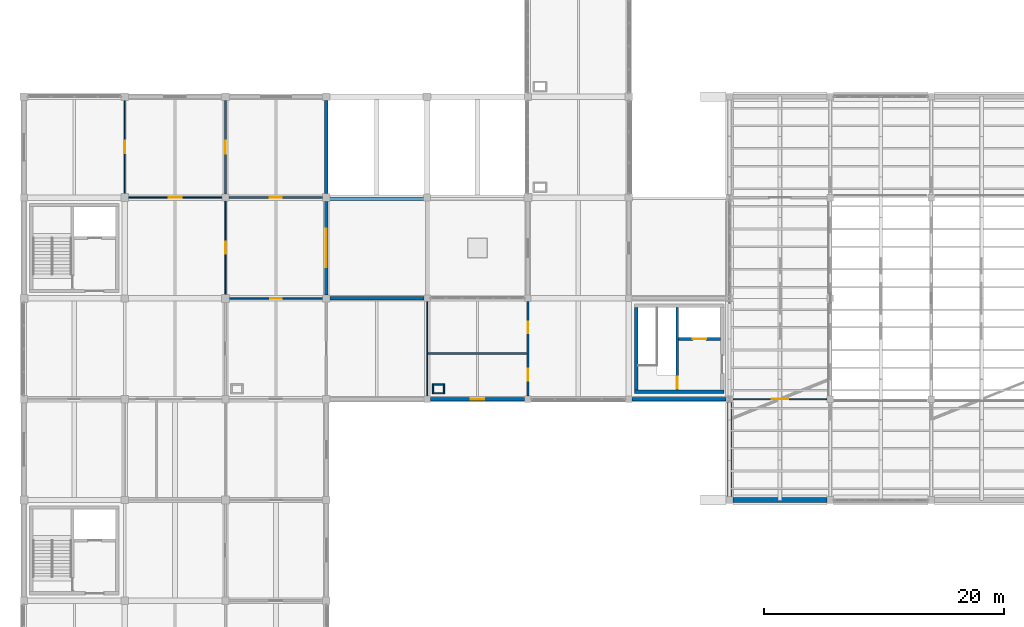
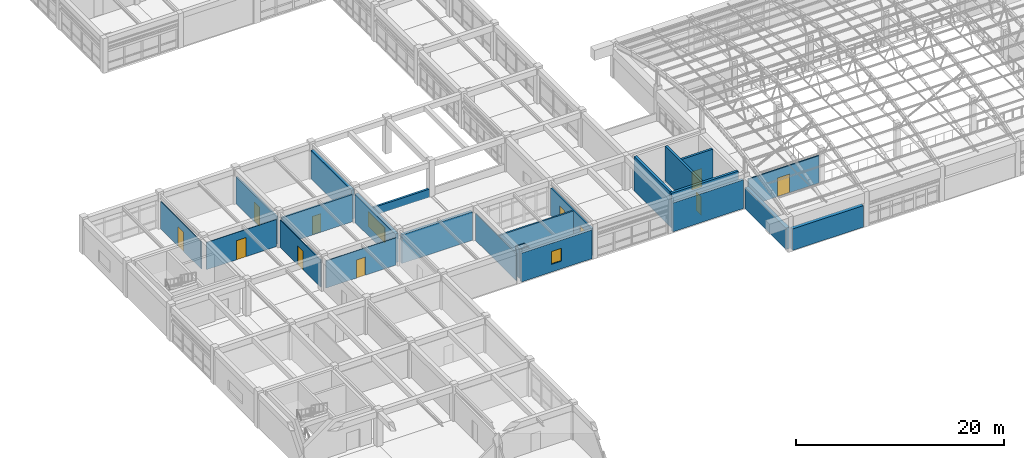
# One storey, part 62 of 74: 26 walls, 11 doors, 2 windows, 13 openings.
"""IFC4 building model written with IfcOpenShell, lengths in metres."""

from ifc_helpers import new_model, si_unit, direction, frame, frame_2d, origin, place, context, subcontext, project, spatial, rectangle, extrude, material, layer, layer_set, type_object, element, fill, save


model = new_model("IFC4")

# Units and contexts
model_context = context("Model", 3, precision=1e-05, world=origin(), true_north=direction((0.0, 1.0)))
body_context = subcontext(model_context, "Body", "Model", "MODEL_VIEW")
ifc_project = project(units=[si_unit("LENGTHUNIT", "METRE"), si_unit("AREAUNIT", "SQUARE_METRE"), si_unit("VOLUMEUNIT", "CUBIC_METRE"), si_unit("PLANEANGLEUNIT", "RADIAN"), si_unit("MASSUNIT", "GRAM", prefix="KILO")], contexts=[model_context])

# Site, building, storey
site_placement = place(None, origin())
site = spatial("IfcSite", under=ifc_project, at=site_placement, CompositionType="ELEMENT")
building_placement = place(site_placement, origin())
building = spatial("IfcBuilding", under=site, at=building_placement, Name="Porcellanite Civic Hall", CompositionType="ELEMENT")
storey_placement = place(building_placement, frame((0.0, 0.0, 14.760009765625)))
storey = spatial("IfcBuildingStorey", under=building, at=storey_placement, Name="L03", CompositionType="ELEMENT", Elevation=14.760009765625)

# Wall, opening, door
ifc_material_1 = material(Name="Concrete N40 (40 MPa)", Category="concrete")
ifc_layer_1 = layer(ifc_material_1, 0.239990234375)
ifc_layer_set_1 = layer_set([ifc_layer_1], Name="Concrete N40 (40 MPa)")
wall_type_1 = type_object("IfcWallType", Name="CW-SH240", PredefinedType="SHEAR", material=ifc_layer_set_1)
wall_1_placement = place(storey_placement, frame((62.840087890625, 51.159912109375, 0.0), z_axis=(0.0, 0.0, 1.0), x_axis=(0.0, 1.0, 0.0)))
wall_1 = element("IfcWall", 1, at=wall_1_placement, inside=storey, type_object=wall_type_1, Name="Core divider C5 L03", PredefinedType="SHEAR", context=body_context, shape_type="SweptSolid", body=[
    extrude(rectangle(XDim=6.880126953125, YDim=0.239990234375, at=frame_2d((3.43994140625, 0.0))), origin(), (0.0, 0.0, 1.0), 4.070068359375),
])
opening_1_placement = place(wall_1_placement, frame((0.1201171875, 0.0, 0.0)))
opening_1 = element("IfcOpeningElement", 2, at=opening_1_placement, cuts=wall_1, Name="Opening FD-C5-L03-ST", PredefinedType="OPENING", context=body_context, shape_type="SweptSolid", body=[
    extrude(rectangle(XDim=1.0, YDim=2.14990234375, at=frame_2d((0.5, 1.074951171875))), frame((0.0, 0.1201171875, 0.0), z_axis=(0.0, -1.0, 0.0), x_axis=(1.0, 0.0, 0.0)), (0.0, 0.0, 1.0), 0.239990234375),
])
ifc_material_2 = material(Name="Fire-rated solid-core hardwood timber", Category="wood")
door_type_1 = type_object("IfcDoorType", Name="DR-FD100", OperationType="NOTDEFINED", PredefinedType="DOOR", material=ifc_material_2)
door_1_placement = place(opening_1_placement, origin())
door_1 = element("IfcDoor", 3, at=door_1_placement, inside=storey, type_object=door_type_1, Name="Fire stair door FD-C5-L03-ST", OperationType="SINGLE_SWING_RIGHT", OverallHeight=2.14990234375, OverallWidth=1.0, PredefinedType="DOOR", context=body_context, shape_type="SweptSolid", body=[
    extrude(rectangle(XDim=1.0, YDim=2.14990234375, at=frame_2d((0.5, 1.074951171875))), frame((0.0, 0.02490234375, 0.0), z_axis=(0.0, -1.0, 0.0), x_axis=(1.0, 0.0, 0.0)), (0.0, 0.0, 1.0), 0.050048828125),
])
fill(opening_1, door_1)

wall_2_placement = place(storey_placement, frame((62.9599609375, 55.419921875, 0.0), z_axis=(0.0, 0.0, 1.0), x_axis=(1.0, 0.0, 0.0)))
wall_2 = element("IfcWall", 4, at=wall_2_placement, inside=storey, type_object=wall_type_1, Name="Lift shaft wall C5 L03", PredefinedType="SHEAR", context=body_context, shape_type="SweptSolid", body=[
    extrude(rectangle(XDim=3.47998046875, YDim=0.239990234375, at=frame_2d((1.739990234375, 0.0))), origin(), (0.0, 0.0, 1.0), 4.070068359375),
])
opening_2_placement = place(wall_2_placement, frame((1.18994140625, 0.0, 0.0)))
opening_2 = element("IfcOpeningElement", 5, at=opening_2_placement, cuts=wall_2, Name="Opening LD-05", PredefinedType="OPENING", context=body_context, shape_type="SweptSolid", body=[
    extrude(rectangle(XDim=1.10009765625, YDim=2.14990234375, at=frame_2d((0.550048828125, 1.074951171875))), frame((0.0, 0.1201171875, 0.0), z_axis=(0.0, -1.0, 0.0), x_axis=(1.0, 0.0, 0.0)), (0.0, 0.0, 1.0), 0.239990234375),
])
ifc_material_3 = material(Name="Brushed stainless steel 316", Category="steel")
door_type_2 = type_object("IfcDoorType", Name="DR-LD110", OperationType="DOUBLE_DOOR_SLIDING", PredefinedType="DOOR", material=ifc_material_3)
door_2_placement = place(opening_2_placement, origin())
door_2 = element("IfcDoor", 6, at=door_2_placement, inside=storey, type_object=door_type_2, Name="Lift landing sliding door LD-05 L03", OperationType="DOUBLE_DOOR_SLIDING", OverallHeight=2.14990234375, OverallWidth=1.10009765625, PredefinedType="DOOR", context=body_context, shape_type="SweptSolid", body=[
    extrude(rectangle(XDim=1.10009765625, YDim=2.14990234375, at=frame_2d((0.550048828125, 1.074951171875))), frame((0.0, 0.02490234375, 0.0), z_axis=(0.0, -1.0, 0.0), x_axis=(1.0, 0.0, 0.0)), (0.0, 0.0, 1.0), 0.050048828125),
])
fill(opening_2, door_2)

# Walls
ifc_material_4 = material(Name="Concrete N40 (40 MPa)", Category="concrete")
ifc_layer_2 = layer(ifc_material_4, 0.280029296875)
ifc_layer_set_2 = layer_set([ifc_layer_2], Name="Concrete N40 (40 MPa)")
wall_type_2 = type_object("IfcWallType", Name="CW-SH280", PredefinedType="SHEAR", material=ifc_layer_set_2)
wall_3_placement = place(storey_placement, frame((66.719970703125, 51.02001953125, 0.0), z_axis=(0.0, 0.0, 1.0), x_axis=(-1.0, 0.0, 0.0)))
element("IfcWall", 7, at=wall_3_placement, inside=storey, type_object=wall_type_2, Name="Core wall C5 L03 S", PredefinedType="SHEAR", context=body_context, shape_type="SweptSolid", body=[
    extrude(rectangle(XDim=7.43994140625, YDim=0.280029296875, at=frame_2d((3.719970703125, 0.0))), origin(), (0.0, 0.0, 1.0), 4.070068359375),
])
wall_4_placement = place(storey_placement, frame((59.419921875, 51.159912109375, 0.0), z_axis=(0.0, 0.0, 1.0), x_axis=(0.0, 1.0, 0.0)))
element("IfcWall", 8, at=wall_4_placement, inside=storey, type_object=wall_type_2, Name="Core wall C5 L03 W", PredefinedType="SHEAR", context=body_context, shape_type="SweptSolid", body=[
    extrude(rectangle(XDim=6.880126953125, YDim=0.280029296875, at=frame_2d((3.43994140625, 0.0))), origin(), (0.0, 0.0, 1.0), 4.070068359375),
])
ifc_material_5 = material(Name="Precast concrete N40 (40 MPa)", Category="concrete")
ifc_layer_3 = layer(ifc_material_5, 0.280029296875)
ifc_layer_set_3 = layer_set([ifc_layer_3], Name="Precast concrete N40 (40 MPa)")
wall_type_3 = type_object("IfcWallType", Name="EW-CLO280", PredefinedType="SOLIDWALL", material=ifc_layer_set_3)
wall_5_placement = place(storey_placement, frame((33.90087890625, 58.800048828125, 0.0), z_axis=(0.0, 0.0, 1.0), x_axis=(1.0, 0.0, 0.0)))
element("IfcWall", 9, at=wall_5_placement, inside=storey, type_object=wall_type_3, Name="Exterior wall L03 N 5-7", PredefinedType="SOLIDWALL", context=body_context, shape_type="SweptSolid", body=[
    extrude(rectangle(XDim=7.8232421875, YDim=0.280029296875, at=frame_2d((3.91162109375, 0.0))), origin(), (0.0, 0.0, 1.0), 3.369873046875),
])

# Wall, opening, window
wall_6_placement = place(storey_placement, frame((50.1240234375, 50.39990234375, 0.0), z_axis=(0.0, 0.0, 1.0), x_axis=(-1.0, 0.0, 0.0)))
wall_6 = element("IfcWall", 10, at=wall_6_placement, inside=storey, type_object=wall_type_3, Name="Exterior wall L03 S 6-7", PredefinedType="SOLIDWALL", context=body_context, shape_type="SweptSolid", body=[
    extrude(rectangle(XDim=7.84814453125, YDim=0.280029296875, at=frame_2d((3.924072265625, 0.0))), origin(), (0.0, 0.0, 1.0), 3.369873046875),
])
opening_3_placement = place(wall_6_placement, frame((3.3740234375, 0.0, 0.89990234375)))
opening_3 = element("IfcOpeningElement", 11, at=opening_3_placement, cuts=wall_6, Name="Opening W24", PredefinedType="OPENING", context=body_context, shape_type="SweptSolid", body=[
    extrude(rectangle(XDim=1.10009765625, YDim=1.5, at=frame_2d((0.550048828125, 0.75))), frame((0.0, 0.14013671875, 0.0), z_axis=(0.0, -1.0, 0.0), x_axis=(1.0, 0.0, 0.0)), (0.0, 0.0, 1.0), 0.280029296875),
])
ifc_material_6 = material(Name="Cyclone laminated low-E glazing in anodised aluminium frame", Category="aluminium")
window_type_1 = type_object("IfcWindowType", Name="WN-24", PartitioningType="SINGLE_PANEL", PredefinedType="WINDOW", material=ifc_material_6)
window_1_placement = place(opening_3_placement, origin())
window_1 = element("IfcWindow", 12, at=window_1_placement, inside=storey, type_object=window_type_1, Name="Window W24 L03 S 6-7", OverallHeight=1.5, OverallWidth=1.10009765625, PartitioningType="SINGLE_PANEL", PredefinedType="WINDOW", context=body_context, shape_type="SweptSolid", body=[
    extrude(rectangle(XDim=1.10009765625, YDim=1.5, at=frame_2d((0.550048828125, 0.75))), frame((0.0, 0.030029296875, 0.0), z_axis=(0.0, -1.0, 0.0), x_axis=(1.0, 0.0, 0.0)), (0.0, 0.0, 1.0), 0.06005859375),
])
fill(opening_3, window_1)

# Wall
wall_7_placement = place(storey_placement, frame((66.924072265625, 50.39990234375, 0.0), z_axis=(0.0, 0.0, 1.0), x_axis=(-1.0, 0.0, 0.0)))
element("IfcWall", 13, at=wall_7_placement, inside=storey, type_object=wall_type_3, Name="Exterior wall L03 S 8-7", PredefinedType="SOLIDWALL", context=body_context, shape_type="SweptSolid", body=[
    extrude(rectangle(XDim=7.84814453125, YDim=0.280029296875, at=frame_2d((3.924072265625, 0.0))), origin(), (0.0, 0.0, 1.0), 3.369873046875),
])

# Wall, opening, window
ifc_material_7 = material(Name="Precast concrete N40 (40 MPa)", Category="concrete")
ifc_layer_4 = layer(ifc_material_7, 0.320068359375)
ifc_layer_set_4 = layer_set([ifc_layer_4], Name="Precast concrete N40 (40 MPa)")
wall_type_4 = type_object("IfcWallType", Name="EW-COM320", PredefinedType="SOLIDWALL", material=ifc_layer_set_4)
wall_8_placement = place(storey_placement, frame((33.60009765625, 66.8740234375, 0.0), z_axis=(0.0, 0.0, 1.0), x_axis=(0.0, -1.0, 0.0)))
wall_8 = element("IfcWall", 14, at=wall_8_placement, inside=storey, type_object=wall_type_4, Name="Exterior wall L03 E 4-8", PredefinedType="SOLIDWALL", context=body_context, shape_type="SweptSolid", body=[
    extrude(rectangle(XDim=7.77294921875, YDim=0.320068359375, at=frame_2d((3.886474609375, 0.0))), origin(), (0.0, 0.0, 1.0), 3.369873046875),
])
opening_4_placement = place(wall_8_placement, frame((2.285888671875, 0.0, 0.89990234375)))
opening_4 = element("IfcOpeningElement", 15, at=opening_4_placement, cuts=wall_8, Name="Opening W17", PredefinedType="OPENING", context=body_context, shape_type="SweptSolid", body=[
    extrude(rectangle(XDim=3.199951171875, YDim=1.75, at=frame_2d((1.60009765625, 0.875))), frame((0.0, 0.16015625, 0.0), z_axis=(0.0, -1.0, 0.0), x_axis=(1.0, 0.0, 0.0)), (0.0, 0.0, 1.0), 0.320068359375),
])
ifc_material_8 = material(Name="Cyclone laminated low-E glazing in anodised aluminium frame", Category="aluminium")
window_type_2 = type_object("IfcWindowType", Name="WN-17", PartitioningType="TRIPLE_PANEL_VERTICAL", PredefinedType="WINDOW", material=ifc_material_8)
window_2_placement = place(opening_4_placement, origin())
window_2 = element("IfcWindow", 16, at=window_2_placement, inside=storey, type_object=window_type_2, Name="Window W17 L03 E 4-8", OverallHeight=1.75, OverallWidth=3.199951171875, PartitioningType="SINGLE_PANEL", PredefinedType="WINDOW", context=body_context, shape_type="SweptSolid", body=[
    extrude(rectangle(XDim=3.199951171875, YDim=1.75, at=frame_2d((1.60009765625, 0.875))), frame((0.0, 0.030029296875, 0.0), z_axis=(0.0, -1.0, 0.0), x_axis=(1.0, 0.0, 0.0)), (0.0, 0.0, 1.0), 0.06005859375),
])
fill(opening_4, window_2)

# Walls
wall_9_placement = place(storey_placement, frame((33.60009765625, 75.299072265625, 0.0), z_axis=(0.0, 0.0, 1.0), x_axis=(0.0, -1.0, 0.0)))
element("IfcWall", 17, at=wall_9_placement, inside=storey, type_object=wall_type_4, Name="Exterior wall L03 E 4-9", PredefinedType="SOLIDWALL", context=body_context, shape_type="SweptSolid", body=[
    extrude(rectangle(XDim=7.773193359375, YDim=0.320068359375, at=frame_2d((3.88671875, 0.0))), origin(), (0.0, 0.0, 1.0), 3.369873046875),
])
ifc_material_9 = material(Name="Precast concrete N40 (40 MPa)", Category="concrete")
ifc_layer_5 = layer(ifc_material_9, 0.3798828125)
ifc_layer_set_5 = layer_set([ifc_layer_5], Name="Precast concrete N40 (40 MPa)")
wall_type_5 = type_object("IfcWallType", Name="EW-DRUM380", PredefinedType="SOLIDWALL", material=ifc_layer_set_5)
wall_10_placement = place(storey_placement, frame((75.323974609375, 42.0, 0.0), z_axis=(0.0, 0.0, 1.0), x_axis=(-1.0, 0.0, 0.0)))
element("IfcWall", 18, at=wall_10_placement, inside=storey, type_object=wall_type_5, Name="Exterior wall L03 S 9-6", PredefinedType="SOLIDWALL", context=body_context, shape_type="SweptSolid", body=[
    extrude(rectangle(XDim=7.847900390625, YDim=0.3798828125, at=frame_2d((3.923828125, 0.0))), origin(), (0.0, 0.0, 1.0), 2.52001953125),
])
wall_11_placement = place(storey_placement, frame((67.199951171875, 42.27587890625, 0.0), z_axis=(0.0, 0.0, 1.0), x_axis=(0.0, 1.0, 0.0)))
element("IfcWall", 19, at=wall_11_placement, inside=storey, type_object=wall_type_5, Name="Exterior wall L03 W 9-6", PredefinedType="SOLIDWALL", context=body_context, shape_type="SweptSolid", body=[
    extrude(rectangle(XDim=7.84814453125, YDim=0.3798828125, at=frame_2d((3.924072265625, 0.0))), origin(), (0.0, 0.0, 1.0), 2.52001953125),
])
ifc_material_10 = material(Name="Fire-rated shaftwall plasterboard on steel studs", Category="steel")
ifc_layer_6 = layer(ifc_material_10, 0.117919921875)
ifc_layer_set_6 = layer_set([ifc_layer_6], Name="Fire-rated shaftwall plasterboard on steel studs")
wall_type_6 = type_object("IfcWallType", Name="IW-FR118", PredefinedType="PARTITIONING", material=ifc_layer_set_6)
for number, where, z_axis, x_axis, name in (
    (20, (42.431884765625, 50.89111328125, 0.0), (0.0, 0.0, 1.0), (1.0, 0.0, 0.0), "Fire riser shaftwall S L03 5-6"),
    (21, (42.431884765625, 51.60888671875, 0.0), (0.0, 0.0, 1.0), (1.0, 0.0, 0.0), "Fire riser shaftwall N L03 5-6"),
):
    element("IfcWall", number, at=place(storey_placement, frame(where, z_axis=z_axis, x_axis=x_axis)), inside=storey, type_object=wall_type_6, Name=name, PredefinedType="PARTITIONING", context=body_context, shape_type="SweptSolid", body=[
        extrude(rectangle(XDim=1.0361328125, YDim=0.117919921875, at=frame_2d((0.51806640625, 0.0))), origin(), (0.0, 0.0, 1.0), 3.35009765625),
    ])
for number, where, z_axis, x_axis, name in (
    (22, (42.490966796875, 50.949951171875, 0.0), (0.0, 0.0, 1.0), (0.0, 1.0, 0.0), "Fire riser shaftwall W L03 5-6"),
    (23, (43.408935546875, 50.949951171875, 0.0), (0.0, 0.0, 1.0), (0.0, 1.0, 0.0), "Fire riser shaftwall E L03 5-6"),
):
    element("IfcWall", number, at=place(storey_placement, frame(where, z_axis=z_axis, x_axis=x_axis)), inside=storey, type_object=wall_type_6, Name=name, PredefinedType="PARTITIONING", context=body_context, shape_type="SweptSolid", body=[
        extrude(rectangle(XDim=0.60009765625, YDim=0.117919921875, at=frame_2d((0.300048828125, 0.0))), origin(), (0.0, 0.0, 1.0), 3.35009765625),
    ])

# Wall, opening, door
ifc_material_11 = material(Name="Insulated acoustic plasterboard on light-gauge steel studs", Category="steel")
ifc_layer_7 = layer(ifc_material_11, 0.087890625)
ifc_layer_set_7 = layer_set([ifc_layer_7], Name="Insulated acoustic plasterboard on light-gauge steel studs")
wall_type_7 = type_object("IfcWallType", Name="IW-PT088", PredefinedType="PARTITIONING", material=ifc_layer_set_7)
wall_12_placement = place(storey_placement, frame((16.800048828125, 67.527099609375, 0.0), z_axis=(0.0, 0.0, 1.0), x_axis=(0.0, 1.0, 0.0)))
wall_12 = element("IfcWall", 24, at=wall_12_placement, inside=storey, type_object=wall_type_7, Name="Partition L03 V 2-9", PredefinedType="PARTITIONING", context=body_context, shape_type="SweptSolid", body=[
    extrude(rectangle(XDim=7.77099609375, YDim=0.087890625, at=frame_2d((3.885498046875, 0.0))), origin(), (0.0, 0.0, 1.0), 3.18994140625),
])
opening_5_placement = place(wall_12_placement, frame((3.35595703125, 0.0, 0.0)))
opening_5 = element("IfcOpeningElement", 25, at=opening_5_placement, cuts=wall_12, Name="Opening D-L03-443", PredefinedType="OPENING", context=body_context, shape_type="SweptSolid", body=[
    extrude(rectangle(XDim=1.06005859375, YDim=2.25, at=frame_2d((0.530029296875, 1.125))), frame((0.0, 0.0439453125, 0.0), z_axis=(0.0, -1.0, 0.0), x_axis=(1.0, 0.0, 0.0)), (0.0, 0.0, 1.0), 0.087890625),
])
ifc_material_12 = material(Name="Solid-core spotted-gum timber", Category="wood")
door_type_3 = type_object("IfcDoorType", Name="DR-RM106", OperationType="NOTDEFINED", PredefinedType="DOOR", material=ifc_material_12)
door_3_placement = place(opening_5_placement, origin())
door_3 = element("IfcDoor", 26, at=door_3_placement, inside=storey, type_object=door_type_3, Name="Interior door D-L03-443", OperationType="SINGLE_SWING_LEFT", OverallHeight=2.25, OverallWidth=1.06005859375, PredefinedType="DOOR", context=body_context, shape_type="SweptSolid", body=[
    extrude(rectangle(XDim=1.06005859375, YDim=2.25, at=frame_2d((0.530029296875, 1.125))), frame((0.0, 0.02490234375, 0.0), z_axis=(0.0, -1.0, 0.0), x_axis=(1.0, 0.0, 0.0)), (0.0, 0.0, 1.0), 0.050048828125),
])
fill(opening_5, door_3)

# Wall
ifc_material_13 = material(Name="Insulated acoustic plasterboard on light-gauge steel studs", Category="steel")
ifc_layer_8 = layer(ifc_material_13, 0.094970703125)
ifc_layer_set_8 = layer_set([ifc_layer_8], Name="Insulated acoustic plasterboard on light-gauge steel studs")
wall_type_8 = type_object("IfcWallType", Name="IW-PT095", PredefinedType="PARTITIONING", material=ifc_layer_set_8)
wall_13_placement = place(storey_placement, frame((42.0, 50.677001953125, 0.0), z_axis=(0.0, 0.0, 1.0), x_axis=(0.0, 1.0, 0.0)))
element("IfcWall", 27, at=wall_13_placement, inside=storey, type_object=wall_type_8, Name="Partition L03 V 5-7", PredefinedType="PARTITIONING", context=body_context, shape_type="SweptSolid", body=[
    extrude(rectangle(XDim=7.845947265625, YDim=0.094970703125, at=frame_2d((3.9228515625, 0.0))), origin(), (0.0, 0.0, 1.0), 3.18994140625),
])

# Wall, opening, door
ifc_material_14 = material(Name="Insulated acoustic plasterboard on light-gauge steel studs", Category="steel")
ifc_layer_9 = layer(ifc_material_14, 0.10498046875)
ifc_layer_set_9 = layer_set([ifc_layer_9], Name="Insulated acoustic plasterboard on light-gauge steel studs")
wall_type_9 = type_object("IfcWallType", Name="IW-PT105", PredefinedType="PARTITIONING", material=ifc_layer_set_9)
wall_14_placement = place(storey_placement, frame((17.126953125, 67.199951171875, 0.0), z_axis=(0.0, 0.0, 1.0), x_axis=(1.0, 0.0, 0.0)))
wall_14 = element("IfcWall", 28, at=wall_14_placement, inside=storey, type_object=wall_type_9, Name="Partition L03 H 3-8", PredefinedType="PARTITIONING", context=body_context, shape_type="SweptSolid", body=[
    extrude(rectangle(XDim=7.77099609375, YDim=0.10498046875, at=frame_2d((3.885498046875, 0.0))), origin(), (0.0, 0.0, 1.0), 3.18994140625),
])
opening_6_placement = place(wall_14_placement, frame((3.35595703125, 0.0, 0.0)))
opening_6 = element("IfcOpeningElement", 29, at=opening_6_placement, cuts=wall_14, Name="Opening D-L03-417", PredefinedType="OPENING", context=body_context, shape_type="SweptSolid", body=[
    extrude(rectangle(XDim=1.06005859375, YDim=2.25, at=frame_2d((0.530029296875, 1.125))), frame((0.0, 0.052490234375, 0.0), z_axis=(0.0, -1.0, 0.0), x_axis=(1.0, 0.0, 0.0)), (0.0, 0.0, 1.0), 0.10498046875),
])
door_4_placement = place(opening_6_placement, origin())
door_4 = element("IfcDoor", 30, at=door_4_placement, inside=storey, type_object=door_type_3, Name="Interior door D-L03-417", OperationType="SINGLE_SWING_LEFT", OverallHeight=2.25, OverallWidth=1.06005859375, PredefinedType="DOOR", context=body_context, shape_type="SweptSolid", body=[
    extrude(rectangle(XDim=1.06005859375, YDim=2.25, at=frame_2d((0.530029296875, 1.125))), frame((0.0, 0.02490234375, 0.0), z_axis=(0.0, -1.0, 0.0), x_axis=(1.0, 0.0, 0.0)), (0.0, 0.0, 1.0), 0.050048828125),
])
fill(opening_6, door_4)

wall_15_placement = place(storey_placement, frame((25.199951171875, 59.126953125, 0.0), z_axis=(0.0, 0.0, 1.0), x_axis=(0.0, 1.0, 0.0)))
wall_15 = element("IfcWall", 31, at=wall_15_placement, inside=storey, type_object=wall_type_9, Name="Partition L03 V 3-8", PredefinedType="PARTITIONING", context=body_context, shape_type="SweptSolid", body=[
    extrude(rectangle(XDim=7.77099609375, YDim=0.10498046875, at=frame_2d((3.885498046875, 0.0))), origin(), (0.0, 0.0, 1.0), 3.18994140625),
])
opening_7_placement = place(wall_15_placement, frame((3.39599609375, 0.0, 0.0)))
opening_7 = element("IfcOpeningElement", 32, at=opening_7_placement, cuts=wall_15, Name="Opening D-L03-434", PredefinedType="OPENING", context=body_context, shape_type="SweptSolid", body=[
    extrude(rectangle(XDim=0.97998046875, YDim=2.179931640625, at=frame_2d((0.489990234375, 1.08984375))), frame((0.0, 0.052490234375, 0.0), z_axis=(0.0, -1.0, 0.0), x_axis=(1.0, 0.0, 0.0)), (0.0, 0.0, 1.0), 0.10498046875),
])
ifc_material_15 = material(Name="Solid-core spotted-gum timber", Category="wood")
door_type_4 = type_object("IfcDoorType", Name="DR-RM098", OperationType="NOTDEFINED", PredefinedType="DOOR", material=ifc_material_15)
door_5_placement = place(opening_7_placement, origin())
door_5 = element("IfcDoor", 33, at=door_5_placement, inside=storey, type_object=door_type_4, Name="Interior door D-L03-434", OperationType="SINGLE_SWING_RIGHT", OverallHeight=2.179931640625, OverallWidth=0.97998046875, PredefinedType="DOOR", context=body_context, shape_type="SweptSolid", body=[
    extrude(rectangle(XDim=0.97998046875, YDim=2.179931640625, at=frame_2d((0.489990234375, 1.08984375))), frame((0.0, 0.02490234375, 0.0), z_axis=(0.0, -1.0, 0.0), x_axis=(1.0, 0.0, 0.0)), (0.0, 0.0, 1.0), 0.050048828125),
])
fill(opening_7, door_5)

ifc_material_16 = material(Name="Insulated acoustic plasterboard on light-gauge steel studs", Category="steel")
ifc_layer_10 = layer(ifc_material_16, 0.125)
ifc_layer_set_10 = layer_set([ifc_layer_10], Name="Insulated acoustic plasterboard on light-gauge steel studs")
wall_type_10 = type_object("IfcWallType", Name="IW-PT125", PredefinedType="PARTITIONING", material=ifc_layer_set_10)
wall_16_placement = place(storey_placement, frame((25.527099609375, 58.800048828125, 0.0), z_axis=(0.0, 0.0, 1.0), x_axis=(1.0, 0.0, 0.0)))
wall_16 = element("IfcWall", 34, at=wall_16_placement, inside=storey, type_object=wall_type_10, Name="Partition L03 H 4-7", PredefinedType="PARTITIONING", context=body_context, shape_type="SweptSolid", body=[
    extrude(rectangle(XDim=7.77099609375, YDim=0.125, at=frame_2d((3.885498046875, 0.0))), origin(), (0.0, 0.0, 1.0), 3.18994140625),
])
opening_8_placement = place(wall_16_placement, frame((3.40087890625, 0.0, 0.0)))
opening_8 = element("IfcOpeningElement", 35, at=opening_8_placement, cuts=wall_16, Name="Opening D-L03-453", PredefinedType="OPENING", context=body_context, shape_type="SweptSolid", body=[
    extrude(rectangle(XDim=0.969970703125, YDim=2.1201171875, at=frame_2d((0.48486328125, 1.06005859375))), frame((0.0, 0.0625, 0.0), z_axis=(0.0, -1.0, 0.0), x_axis=(1.0, 0.0, 0.0)), (0.0, 0.0, 1.0), 0.125),
])
ifc_material_17 = material(Name="Solid-core spotted-gum timber", Category="wood")
door_type_5 = type_object("IfcDoorType", Name="DR-RM097", OperationType="NOTDEFINED", PredefinedType="DOOR", material=ifc_material_17)
door_6_placement = place(opening_8_placement, origin())
door_6 = element("IfcDoor", 36, at=door_6_placement, inside=storey, type_object=door_type_5, Name="Interior door D-L03-453", OperationType="SINGLE_SWING_LEFT", OverallHeight=2.1201171875, OverallWidth=0.969970703125, PredefinedType="DOOR", context=body_context, shape_type="SweptSolid", body=[
    extrude(rectangle(XDim=0.969970703125, YDim=2.1201171875, at=frame_2d((0.48486328125, 1.06005859375))), frame((0.0, 0.02490234375, 0.0), z_axis=(0.0, -1.0, 0.0), x_axis=(1.0, 0.0, 0.0)), (0.0, 0.0, 1.0), 0.050048828125),
])
fill(opening_8, door_6)

ifc_material_18 = material(Name="Insulated acoustic plasterboard on light-gauge steel studs", Category="steel")
ifc_layer_11 = layer(ifc_material_18, 0.14501953125)
ifc_layer_set_11 = layer_set([ifc_layer_11], Name="Insulated acoustic plasterboard on light-gauge steel studs")
wall_type_11 = type_object("IfcWallType", Name="IW-PT145", PredefinedType="PARTITIONING", material=ifc_layer_set_11)
wall_17_placement = place(storey_placement, frame((67.47705078125, 50.39990234375, 0.0), z_axis=(0.0, 0.0, 1.0), x_axis=(1.0, 0.0, 0.0)))
wall_17 = element("IfcWall", 37, at=wall_17_placement, inside=storey, type_object=wall_type_11, Name="Partition L03 H 9-6", PredefinedType="PARTITIONING", context=body_context, shape_type="SweptSolid", body=[
    extrude(rectangle(XDim=7.845947265625, YDim=0.14501953125, at=frame_2d((3.9228515625, 0.0))), origin(), (0.0, 0.0, 1.0), 3.18994140625),
])
opening_9_placement = place(wall_17_placement, frame((3.248046875, 0.0, 0.0)))
opening_9 = element("IfcOpeningElement", 38, at=opening_9_placement, cuts=wall_17, Name="Opening D-L03-419", PredefinedType="OPENING", context=body_context, shape_type="SweptSolid", body=[
    extrude(rectangle(XDim=1.35009765625, YDim=2.199951171875, at=frame_2d((0.675048828125, 1.10009765625))), frame((0.0, 0.072509765625, 0.0), z_axis=(0.0, -1.0, 0.0), x_axis=(1.0, 0.0, 0.0)), (0.0, 0.0, 1.0), 0.14501953125),
])
ifc_material_19 = material(Name="Acoustic spotted-gum timber and safety glass", Category="wood")
door_type_6 = type_object("IfcDoorType", Name="DR-AS135", OperationType="DOUBLE_DOOR_SINGLE_SWING", PredefinedType="DOOR", material=ifc_material_19)
door_7_placement = place(opening_9_placement, origin())
door_7 = element("IfcDoor", 39, at=door_7_placement, inside=storey, type_object=door_type_6, Name="Interior door D-L03-419", OperationType="DOUBLE_DOOR_SINGLE_SWING", OverallHeight=2.199951171875, OverallWidth=1.35009765625, PredefinedType="DOOR", context=body_context, shape_type="SweptSolid", body=[
    extrude(rectangle(XDim=1.35009765625, YDim=2.199951171875, at=frame_2d((0.675048828125, 1.10009765625))), frame((0.0, 0.02490234375, 0.0), z_axis=(0.0, -1.0, 0.0), x_axis=(1.0, 0.0, 0.0)), (0.0, 0.0, 1.0), 0.050048828125),
])
fill(opening_9, door_7)

ifc_material_20 = material(Name="Insulated acoustic plasterboard on light-gauge steel studs", Category="steel")
ifc_layer_12 = layer(ifc_material_20, 0.175048828125)
ifc_layer_set_12 = layer_set([ifc_layer_12], Name="Insulated acoustic plasterboard on light-gauge steel studs")
wall_type_12 = type_object("IfcWallType", Name="IW-PT175", PredefinedType="PARTITIONING", material=ifc_layer_set_12)
wall_18_placement = place(storey_placement, frame((25.199951171875, 67.501953125, 0.0), z_axis=(0.0, 0.0, 1.0), x_axis=(0.0, 1.0, 0.0)))
wall_18 = element("IfcWall", 40, at=wall_18_placement, inside=storey, type_object=wall_type_12, Name="Partition L03 V 3-9", PredefinedType="PARTITIONING", context=body_context, shape_type="SweptSolid", body=[
    extrude(rectangle(XDim=7.77099609375, YDim=0.175048828125, at=frame_2d((3.885498046875, 0.0))), origin(), (0.0, 0.0, 1.0), 3.18994140625),
])
opening_10_placement = place(wall_18_placement, frame((3.35595703125, 0.0, 0.0)))
opening_10 = element("IfcOpeningElement", 41, at=opening_10_placement, cuts=wall_18, Name="Opening D-L03-456", PredefinedType="OPENING", context=body_context, shape_type="SweptSolid", body=[
    extrude(rectangle(XDim=1.06005859375, YDim=2.25, at=frame_2d((0.530029296875, 1.125))), frame((0.0, 0.08740234375, 0.0), z_axis=(0.0, -1.0, 0.0), x_axis=(1.0, 0.0, 0.0)), (0.0, 0.0, 1.0), 0.175048828125),
])
door_8_placement = place(opening_10_placement, origin())
door_8 = element("IfcDoor", 42, at=door_8_placement, inside=storey, type_object=door_type_3, Name="Interior door D-L03-456", OperationType="SINGLE_SWING_RIGHT", OverallHeight=2.25, OverallWidth=1.06005859375, PredefinedType="DOOR", context=body_context, shape_type="SweptSolid", body=[
    extrude(rectangle(XDim=1.06005859375, YDim=2.25, at=frame_2d((0.530029296875, 1.125))), frame((0.0, 0.02490234375, 0.0), z_axis=(0.0, -1.0, 0.0), x_axis=(1.0, 0.0, 0.0)), (0.0, 0.0, 1.0), 0.050048828125),
])
fill(opening_10, door_8)

# Wall, openings, doors
ifc_material_21 = material(Name="Insulated acoustic plasterboard on light-gauge steel studs", Category="steel")
ifc_layer_13 = layer(ifc_material_21, 0.18505859375)
ifc_layer_set_13 = layer_set([ifc_layer_13], Name="Insulated acoustic plasterboard on light-gauge steel studs")
wall_type_13 = type_object("IfcWallType", Name="IW-PT185", PredefinedType="PARTITIONING", material=ifc_layer_set_13)
wall_19_placement = place(storey_placement, frame((50.39990234375, 50.677001953125, 0.0), z_axis=(0.0, 0.0, 1.0), x_axis=(0.0, 1.0, 0.0)))
wall_19 = element("IfcWall", 43, at=wall_19_placement, inside=storey, type_object=wall_type_13, Name="Partition L03 V 6-7", PredefinedType="PARTITIONING", context=body_context, shape_type="SweptSolid", body=[
    extrude(rectangle(XDim=7.845947265625, YDim=0.18505859375, at=frame_2d((3.9228515625, 0.0))), origin(), (0.0, 0.0, 1.0), 3.18994140625),
])
opening_11_placement = place(wall_19_placement, frame((1.27294921875, 0.0, 0.0)))
opening_11 = element("IfcOpeningElement", 44, at=opening_11_placement, cuts=wall_19, Name="Opening D-L03-408", PredefinedType="OPENING", context=body_context, shape_type="SweptSolid", body=[
    extrude(rectangle(XDim=0.97998046875, YDim=2.179931640625, at=frame_2d((0.489990234375, 1.08984375))), frame((0.0, 0.092529296875, 0.0), z_axis=(0.0, -1.0, 0.0), x_axis=(1.0, 0.0, 0.0)), (0.0, 0.0, 1.0), 0.18505859375),
])
opening_12_placement = place(wall_19_placement, frame((5.202880859375, 0.0, 0.0)))
opening_12 = element("IfcOpeningElement", 45, at=opening_12_placement, cuts=wall_19, Name="Opening D-L03-409", PredefinedType="OPENING", context=body_context, shape_type="SweptSolid", body=[
    extrude(rectangle(XDim=0.9599609375, YDim=2.179931640625, at=frame_2d((0.47998046875, 1.08984375))), frame((0.0, 0.092529296875, 0.0), z_axis=(0.0, -1.0, 0.0), x_axis=(1.0, 0.0, 0.0)), (0.0, 0.0, 1.0), 0.18505859375),
])
ifc_material_22 = material(Name="Solid-core spotted-gum timber", Category="wood")
door_type_7 = type_object("IfcDoorType", Name="DR-RM096", OperationType="NOTDEFINED", PredefinedType="DOOR", material=ifc_material_22)
door_9_placement = place(opening_12_placement, origin())
door_9 = element("IfcDoor", 46, at=door_9_placement, inside=storey, type_object=door_type_7, Name="Interior door D-L03-409", OperationType="SINGLE_SWING_LEFT", OverallHeight=2.179931640625, OverallWidth=0.9599609375, PredefinedType="DOOR", context=body_context, shape_type="SweptSolid", body=[
    extrude(rectangle(XDim=0.9599609375, YDim=2.179931640625, at=frame_2d((0.47998046875, 1.08984375))), frame((0.0, 0.02490234375, 0.0), z_axis=(0.0, -1.0, 0.0), x_axis=(1.0, 0.0, 0.0)), (0.0, 0.0, 1.0), 0.050048828125),
])
fill(opening_12, door_9)
door_10_placement = place(opening_11_placement, origin())
door_10 = element("IfcDoor", 47, at=door_10_placement, inside=storey, type_object=door_type_4, Name="Interior door D-L03-408", OperationType="SINGLE_SWING_RIGHT", OverallHeight=2.179931640625, OverallWidth=0.97998046875, PredefinedType="DOOR", context=body_context, shape_type="SweptSolid", body=[
    extrude(rectangle(XDim=0.97998046875, YDim=2.179931640625, at=frame_2d((0.489990234375, 1.08984375))), frame((0.0, 0.02490234375, 0.0), z_axis=(0.0, -1.0, 0.0), x_axis=(1.0, 0.0, 0.0)), (0.0, 0.0, 1.0), 0.050048828125),
])
fill(opening_11, door_10)

# Wall
wall_20_placement = place(storey_placement, frame((42.049560546875, 54.199951171875, 0.0), z_axis=(0.0, 0.0, 1.0), x_axis=(1.0, 0.0, 0.0)))
element("IfcWall", 48, at=wall_20_placement, inside=storey, type_object=wall_type_13, Name="Partition L03 sub 6-7", PredefinedType="PARTITIONING", context=body_context, shape_type="SweptSolid", body=[
    extrude(rectangle(XDim=8.255859375, YDim=0.18505859375, at=frame_2d((4.1279296875, 0.0))), origin(), (0.0, 0.0, 1.0), 3.18994140625),
])

# Wall, opening, door
ifc_material_23 = material(Name="Insulated acoustic plasterboard on light-gauge steel studs", Category="steel")
ifc_layer_14 = layer(ifc_material_23, 0.195068359375)
ifc_layer_set_14 = layer_set([ifc_layer_14], Name="Insulated acoustic plasterboard on light-gauge steel studs")
wall_type_14 = type_object("IfcWallType", Name="IW-PT195", PredefinedType="PARTITIONING", material=ifc_layer_set_14)
wall_21_placement = place(storey_placement, frame((25.501953125, 67.199951171875, 0.0), z_axis=(0.0, 0.0, 1.0), x_axis=(1.0, 0.0, 0.0)))
wall_21 = element("IfcWall", 49, at=wall_21_placement, inside=storey, type_object=wall_type_14, Name="Partition L03 H 4-8", PredefinedType="PARTITIONING", context=body_context, shape_type="SweptSolid", body=[
    extrude(rectangle(XDim=7.77099609375, YDim=0.195068359375, at=frame_2d((3.885498046875, 0.0))), origin(), (0.0, 0.0, 1.0), 3.18994140625),
])
opening_13_placement = place(wall_21_placement, frame((3.40087890625, 0.0, 0.0)))
opening_13 = element("IfcOpeningElement", 50, at=opening_13_placement, cuts=wall_21, Name="Opening D-L03-440", PredefinedType="OPENING", context=body_context, shape_type="SweptSolid", body=[
    extrude(rectangle(XDim=0.969970703125, YDim=2.1201171875, at=frame_2d((0.48486328125, 1.06005859375))), frame((0.0, 0.09765625, 0.0), z_axis=(0.0, -1.0, 0.0), x_axis=(1.0, 0.0, 0.0)), (0.0, 0.0, 1.0), 0.195068359375),
])
door_11_placement = place(opening_13_placement, origin())
door_11 = element("IfcDoor", 51, at=door_11_placement, inside=storey, type_object=door_type_5, Name="Interior door D-L03-440", OperationType="SINGLE_SWING_RIGHT", OverallHeight=2.1201171875, OverallWidth=0.969970703125, PredefinedType="DOOR", context=body_context, shape_type="SweptSolid", body=[
    extrude(rectangle(XDim=0.969970703125, YDim=2.1201171875, at=frame_2d((0.48486328125, 1.06005859375))), frame((0.0, 0.02490234375, 0.0), z_axis=(0.0, -1.0, 0.0), x_axis=(1.0, 0.0, 0.0)), (0.0, 0.0, 1.0), 0.050048828125),
])
fill(opening_13, door_11)

# Wall
ifc_material_24 = material(Name="Precast concrete N40 (40 MPa)", Category="concrete")
ifc_layer_15 = layer(ifc_material_24, 0.22998046875)
ifc_layer_set_15 = layer_set([ifc_layer_15], Name="Precast concrete N40 (40 MPa)")
wall_type_15 = type_object("IfcWallType", Name="WP-PAR2", PredefinedType="PARAPET", material=ifc_layer_set_15)
wall_22_placement = place(storey_placement, frame((33.860107421875, 67.0849609375, 0.0), z_axis=(0.0, 0.0, 1.0), x_axis=(1.0, 0.0, 0.0)))
element("IfcWall", 52, at=wall_22_placement, inside=storey, type_object=wall_type_15, Name="Roof parapet L03 N 5-8", PredefinedType="PARAPET", context=body_context, shape_type="SweptSolid", body=[
    extrude(rectangle(XDim=7.8798828125, YDim=0.22998046875, at=frame_2d((3.93994140625, 0.0))), origin(), (0.0, 0.0, 1.0), 0.949951171875),
])

save(model, "model.ifc")
